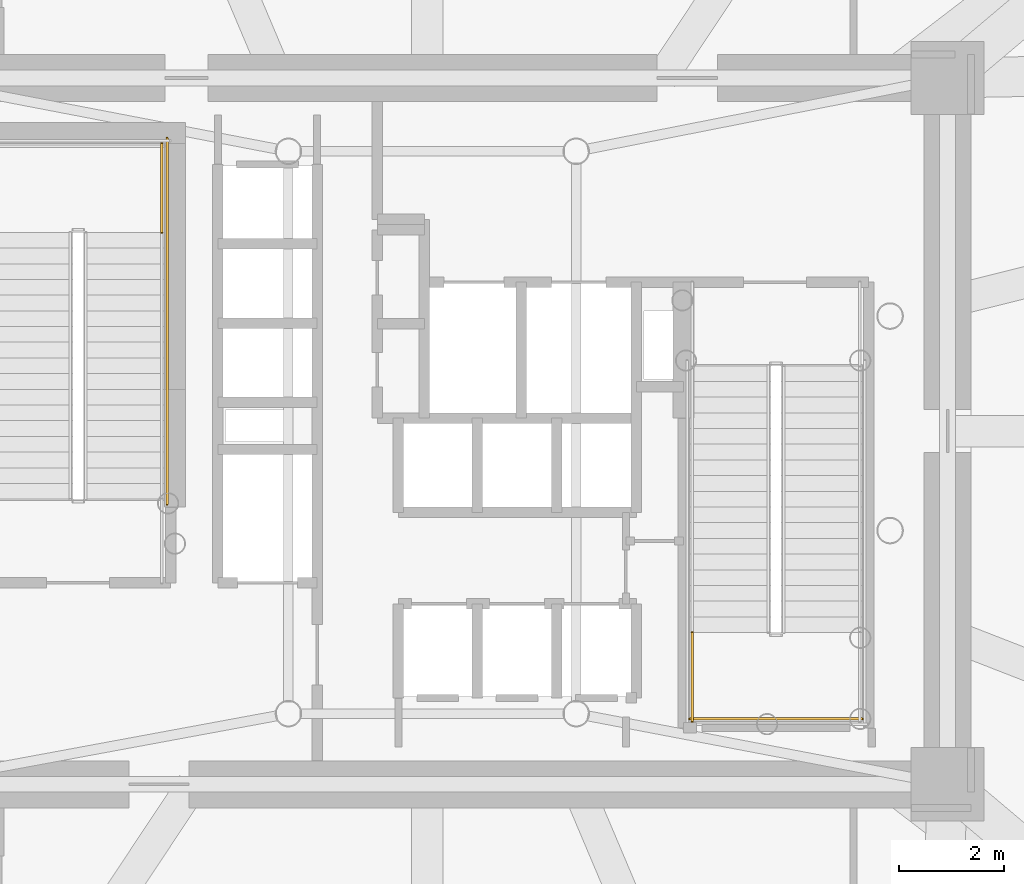
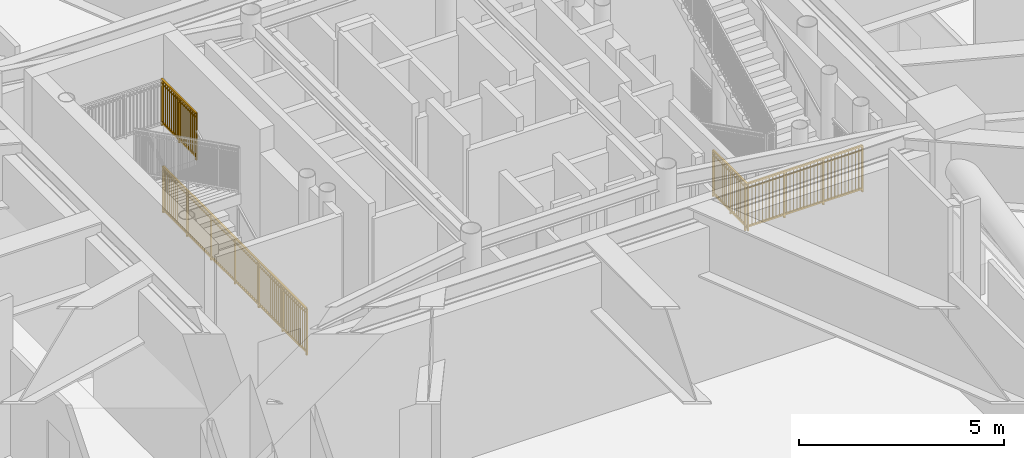
# One storey, part 19 of 22: 4 railings.
"""IFC4 building model written with IfcOpenShell, lengths in metres."""

from ifc_helpers import new_model, si_unit, direction, frame, origin, origin_2d, place, context, subcontext, project, spatial, rectangle, extrude, source, transform, mapped, material, type_object, element, save


model = new_model("IFC4")

# Units and contexts
model_context = context("Model", 3, precision=1e-05, world=origin(), true_north=direction((0.0, 1.0)))
body_context = subcontext(model_context, "Body", "Model", "MODEL_VIEW")
ifc_project = project(units=[si_unit("LENGTHUNIT", "METRE"), si_unit("AREAUNIT", "SQUARE_METRE"), si_unit("VOLUMEUNIT", "CUBIC_METRE"), si_unit("PLANEANGLEUNIT", "RADIAN"), si_unit("MASSUNIT", "GRAM", prefix="KILO")], contexts=[model_context])

# Site, building, storey
site_placement = place(None, origin())
site = spatial("IfcSite", under=ifc_project, at=site_placement, CompositionType="ELEMENT")
building_placement = place(site_placement, origin())
building = spatial("IfcBuilding", under=site, at=building_placement, Name="Linh Dai School and Residence Tower", CompositionType="ELEMENT")
storey_placement = place(building_placement, frame((0.0, 0.0, 87.0)))
storey = spatial("IfcBuildingStorey", under=building, at=storey_placement, Name="L20", CompositionType="ELEMENT", Elevation=87.0)

# Railings
ifc_material = material(Name="Structural Steel S355JR", Category="steel")
railing_type = type_object("IfcRailingType", Name="RL-ST-GUARD-1400", PredefinedType="GUARDRAIL", material=ifc_material)
shared_shape_1 = source(origin(), body_context, "Body", "SweptSolid", [
    extrude(rectangle(XDim=0.048095703125, YDim=0.048095703125, at=origin_2d()), frame((0.0, 0.0, 1.3759765625), z_axis=(0.0, 1.0, 0.0), x_axis=(-1.0, 0.0, 0.0)), (0.0, 0.0, 1.0), 7.0),
    extrude(rectangle(XDim=0.048095703125, YDim=0.048095703125, at=origin_2d()), frame((0.0, 0.0, 0.10009765625), z_axis=(0.0, 1.0, 0.0), x_axis=(-1.0, 0.0, 0.0)), (0.0, 0.0, 1.0), 7.0),
    extrude(rectangle(XDim=0.030029296875, YDim=0.030029296875, at=origin_2d()), frame((0.0, 0.0, 1.239990234375), z_axis=(0.0, 1.0, 0.0), x_axis=(-1.0, 0.0, 0.0)), (0.0, 0.0, 1.0), 7.0),
    extrude(rectangle(XDim=0.02001953125, YDim=0.02001953125, at=origin_2d()), frame((0.0, 0.09716796875, 0.10009765625)), (0.0, 0.0, 1.0), 1.251708984375),
    extrude(rectangle(XDim=0.02001953125, YDim=0.02001953125, at=origin_2d()), frame((0.0, 0.1943359375, 0.10009765625)), (0.0, 0.0, 1.0), 1.251708984375),
    extrude(rectangle(XDim=0.02001953125, YDim=0.02001953125, at=origin_2d()), frame((0.0, 0.291748046875, 0.10009765625)), (0.0, 0.0, 1.0), 1.251708984375),
    extrude(rectangle(XDim=0.02001953125, YDim=0.02001953125, at=origin_2d()), frame((0.0, 0.388916015625, 0.10009765625)), (0.0, 0.0, 1.0), 1.251708984375),
    extrude(rectangle(XDim=0.02001953125, YDim=0.02001953125, at=origin_2d()), frame((0.0, 0.486083984375, 0.10009765625)), (0.0, 0.0, 1.0), 1.251708984375),
    extrude(rectangle(XDim=0.02001953125, YDim=0.02001953125, at=origin_2d()), frame((0.0, 0.583251953125, 0.10009765625)), (0.0, 0.0, 1.0), 1.251708984375),
    extrude(rectangle(XDim=0.02001953125, YDim=0.02001953125, at=origin_2d()), frame((0.0, 0.6806640625, 0.10009765625)), (0.0, 0.0, 1.0), 1.251708984375),
    extrude(rectangle(XDim=0.02001953125, YDim=0.02001953125, at=origin_2d()), frame((0.0, 0.77783203125, 0.10009765625)), (0.0, 0.0, 1.0), 1.251708984375),
    extrude(rectangle(XDim=0.02001953125, YDim=0.02001953125, at=origin_2d()), frame((0.0, 0.875, 0.10009765625)), (0.0, 0.0, 1.0), 1.251708984375),
    extrude(rectangle(XDim=0.02001953125, YDim=0.02001953125, at=origin_2d()), frame((0.0, 0.97216796875, 0.10009765625)), (0.0, 0.0, 1.0), 1.251708984375),
    extrude(rectangle(XDim=0.02001953125, YDim=0.02001953125, at=origin_2d()), frame((0.0, 1.0693359375, 0.10009765625)), (0.0, 0.0, 1.0), 1.251708984375),
    extrude(rectangle(XDim=0.02001953125, YDim=0.02001953125, at=origin_2d()), frame((0.0, 1.263916015625, 0.10009765625)), (0.0, 0.0, 1.0), 1.251708984375),
    extrude(rectangle(XDim=0.02001953125, YDim=0.02001953125, at=origin_2d()), frame((0.0, 1.361083984375, 0.10009765625)), (0.0, 0.0, 1.0), 1.251708984375),
    extrude(rectangle(XDim=0.02001953125, YDim=0.02001953125, at=origin_2d()), frame((0.0, 1.458251953125, 0.10009765625)), (0.0, 0.0, 1.0), 1.251708984375),
    extrude(rectangle(XDim=0.02001953125, YDim=0.02001953125, at=origin_2d()), frame((0.0, 1.5556640625, 0.10009765625)), (0.0, 0.0, 1.0), 1.251708984375),
    extrude(rectangle(XDim=0.02001953125, YDim=0.02001953125, at=origin_2d()), frame((0.0, 1.65283203125, 0.10009765625)), (0.0, 0.0, 1.0), 1.251708984375),
    extrude(rectangle(XDim=0.02001953125, YDim=0.02001953125, at=origin_2d()), frame((0.0, 1.75, 0.10009765625)), (0.0, 0.0, 1.0), 1.251708984375),
    extrude(rectangle(XDim=0.02001953125, YDim=0.02001953125, at=origin_2d()), frame((0.0, 1.84716796875, 0.10009765625)), (0.0, 0.0, 1.0), 1.251708984375),
    extrude(rectangle(XDim=0.02001953125, YDim=0.02001953125, at=origin_2d()), frame((0.0, 1.9443359375, 0.10009765625)), (0.0, 0.0, 1.0), 1.251708984375),
    extrude(rectangle(XDim=0.02001953125, YDim=0.02001953125, at=origin_2d()), frame((0.0, 2.041748046875, 0.10009765625)), (0.0, 0.0, 1.0), 1.251708984375),
    extrude(rectangle(XDim=0.02001953125, YDim=0.02001953125, at=origin_2d()), frame((0.0, 2.138916015625, 0.10009765625)), (0.0, 0.0, 1.0), 1.251708984375),
    extrude(rectangle(XDim=0.02001953125, YDim=0.02001953125, at=origin_2d()), frame((0.0, 2.236083984375, 0.10009765625)), (0.0, 0.0, 1.0), 1.251708984375),
    extrude(rectangle(XDim=0.02001953125, YDim=0.02001953125, at=origin_2d()), frame((0.0, 2.4306640625, 0.10009765625)), (0.0, 0.0, 1.0), 1.251708984375),
    extrude(rectangle(XDim=0.02001953125, YDim=0.02001953125, at=origin_2d()), frame((0.0, 2.52783203125, 0.10009765625)), (0.0, 0.0, 1.0), 1.251708984375),
    extrude(rectangle(XDim=0.02001953125, YDim=0.02001953125, at=origin_2d()), frame((0.0, 2.625, 0.10009765625)), (0.0, 0.0, 1.0), 1.251708984375),
    extrude(rectangle(XDim=0.02001953125, YDim=0.02001953125, at=origin_2d()), frame((0.0, 2.72216796875, 0.10009765625)), (0.0, 0.0, 1.0), 1.251708984375),
    extrude(rectangle(XDim=0.02001953125, YDim=0.02001953125, at=origin_2d()), frame((0.0, 2.8193359375, 0.10009765625)), (0.0, 0.0, 1.0), 1.251708984375),
    extrude(rectangle(XDim=0.02001953125, YDim=0.02001953125, at=origin_2d()), frame((0.0, 2.916748046875, 0.10009765625)), (0.0, 0.0, 1.0), 1.251708984375),
    extrude(rectangle(XDim=0.02001953125, YDim=0.02001953125, at=origin_2d()), frame((0.0, 3.013916015625, 0.10009765625)), (0.0, 0.0, 1.0), 1.251708984375),
    extrude(rectangle(XDim=0.02001953125, YDim=0.02001953125, at=origin_2d()), frame((0.0, 3.111083984375, 0.10009765625)), (0.0, 0.0, 1.0), 1.251708984375),
    extrude(rectangle(XDim=0.02001953125, YDim=0.02001953125, at=origin_2d()), frame((0.0, 3.208251953125, 0.10009765625)), (0.0, 0.0, 1.0), 1.251708984375),
    extrude(rectangle(XDim=0.02001953125, YDim=0.02001953125, at=origin_2d()), frame((0.0, 3.3056640625, 0.10009765625)), (0.0, 0.0, 1.0), 1.251708984375),
    extrude(rectangle(XDim=0.02001953125, YDim=0.02001953125, at=origin_2d()), frame((0.0, 3.40283203125, 0.10009765625)), (0.0, 0.0, 1.0), 1.251708984375),
    extrude(rectangle(XDim=0.02001953125, YDim=0.02001953125, at=origin_2d()), frame((0.0, 3.59716796875, 0.10009765625)), (0.0, 0.0, 1.0), 1.251708984375),
    extrude(rectangle(XDim=0.02001953125, YDim=0.02001953125, at=origin_2d()), frame((0.0, 3.6943359375, 0.10009765625)), (0.0, 0.0, 1.0), 1.251708984375),
    extrude(rectangle(XDim=0.02001953125, YDim=0.02001953125, at=origin_2d()), frame((0.0, 3.791748046875, 0.10009765625)), (0.0, 0.0, 1.0), 1.251708984375),
    extrude(rectangle(XDim=0.02001953125, YDim=0.02001953125, at=origin_2d()), frame((0.0, 3.888916015625, 0.10009765625)), (0.0, 0.0, 1.0), 1.251708984375),
    extrude(rectangle(XDim=0.02001953125, YDim=0.02001953125, at=origin_2d()), frame((0.0, 3.986083984375, 0.10009765625)), (0.0, 0.0, 1.0), 1.251708984375),
    extrude(rectangle(XDim=0.02001953125, YDim=0.02001953125, at=origin_2d()), frame((0.0, 4.083251953125, 0.10009765625)), (0.0, 0.0, 1.0), 1.251708984375),
    extrude(rectangle(XDim=0.02001953125, YDim=0.02001953125, at=origin_2d()), frame((0.0, 4.1806640625, 0.10009765625)), (0.0, 0.0, 1.0), 1.251708984375),
    extrude(rectangle(XDim=0.02001953125, YDim=0.02001953125, at=origin_2d()), frame((0.0, 4.27783203125, 0.10009765625)), (0.0, 0.0, 1.0), 1.251708984375),
    extrude(rectangle(XDim=0.02001953125, YDim=0.02001953125, at=origin_2d()), frame((0.0, 4.375, 0.10009765625)), (0.0, 0.0, 1.0), 1.251708984375),
    extrude(rectangle(XDim=0.02001953125, YDim=0.02001953125, at=origin_2d()), frame((0.0, 4.47216796875, 0.10009765625)), (0.0, 0.0, 1.0), 1.251708984375),
    extrude(rectangle(XDim=0.02001953125, YDim=0.02001953125, at=origin_2d()), frame((0.0, 4.5693359375, 0.10009765625)), (0.0, 0.0, 1.0), 1.251708984375),
    extrude(rectangle(XDim=0.02001953125, YDim=0.02001953125, at=origin_2d()), frame((0.0, 4.763916015625, 0.10009765625)), (0.0, 0.0, 1.0), 1.251708984375),
    extrude(rectangle(XDim=0.02001953125, YDim=0.02001953125, at=origin_2d()), frame((0.0, 4.861083984375, 0.10009765625)), (0.0, 0.0, 1.0), 1.251708984375),
    extrude(rectangle(XDim=0.02001953125, YDim=0.02001953125, at=origin_2d()), frame((0.0, 4.958251953125, 0.10009765625)), (0.0, 0.0, 1.0), 1.251708984375),
    extrude(rectangle(XDim=0.02001953125, YDim=0.02001953125, at=origin_2d()), frame((0.0, 5.0556640625, 0.10009765625)), (0.0, 0.0, 1.0), 1.251708984375),
    extrude(rectangle(XDim=0.02001953125, YDim=0.02001953125, at=origin_2d()), frame((0.0, 5.15283203125, 0.10009765625)), (0.0, 0.0, 1.0), 1.251708984375),
    extrude(rectangle(XDim=0.02001953125, YDim=0.02001953125, at=origin_2d()), frame((0.0, 5.25, 0.10009765625)), (0.0, 0.0, 1.0), 1.251708984375),
    extrude(rectangle(XDim=0.02001953125, YDim=0.02001953125, at=origin_2d()), frame((0.0, 5.34716796875, 0.10009765625)), (0.0, 0.0, 1.0), 1.251708984375),
    extrude(rectangle(XDim=0.02001953125, YDim=0.02001953125, at=origin_2d()), frame((0.0, 5.4443359375, 0.10009765625)), (0.0, 0.0, 1.0), 1.251708984375),
    extrude(rectangle(XDim=0.02001953125, YDim=0.02001953125, at=origin_2d()), frame((0.0, 5.541748046875, 0.10009765625)), (0.0, 0.0, 1.0), 1.251708984375),
    extrude(rectangle(XDim=0.02001953125, YDim=0.02001953125, at=origin_2d()), frame((0.0, 5.638916015625, 0.10009765625)), (0.0, 0.0, 1.0), 1.251708984375),
    extrude(rectangle(XDim=0.02001953125, YDim=0.02001953125, at=origin_2d()), frame((0.0, 5.736083984375, 0.10009765625)), (0.0, 0.0, 1.0), 1.251708984375),
    extrude(rectangle(XDim=0.02001953125, YDim=0.02001953125, at=origin_2d()), frame((0.0, 5.9306640625, 0.10009765625)), (0.0, 0.0, 1.0), 1.251708984375),
    extrude(rectangle(XDim=0.02001953125, YDim=0.02001953125, at=origin_2d()), frame((0.0, 6.02783203125, 0.10009765625)), (0.0, 0.0, 1.0), 1.251708984375),
    extrude(rectangle(XDim=0.02001953125, YDim=0.02001953125, at=origin_2d()), frame((0.0, 6.125, 0.10009765625)), (0.0, 0.0, 1.0), 1.251708984375),
    extrude(rectangle(XDim=0.02001953125, YDim=0.02001953125, at=origin_2d()), frame((0.0, 6.22216796875, 0.10009765625)), (0.0, 0.0, 1.0), 1.251708984375),
    extrude(rectangle(XDim=0.02001953125, YDim=0.02001953125, at=origin_2d()), frame((0.0, 6.3193359375, 0.10009765625)), (0.0, 0.0, 1.0), 1.251708984375),
    extrude(rectangle(XDim=0.02001953125, YDim=0.02001953125, at=origin_2d()), frame((0.0, 6.416748046875, 0.10009765625)), (0.0, 0.0, 1.0), 1.251708984375),
    extrude(rectangle(XDim=0.02001953125, YDim=0.02001953125, at=origin_2d()), frame((0.0, 6.513916015625, 0.10009765625)), (0.0, 0.0, 1.0), 1.251708984375),
    extrude(rectangle(XDim=0.02001953125, YDim=0.02001953125, at=origin_2d()), frame((0.0, 6.611083984375, 0.10009765625)), (0.0, 0.0, 1.0), 1.251708984375),
    extrude(rectangle(XDim=0.02001953125, YDim=0.02001953125, at=origin_2d()), frame((0.0, 6.708251953125, 0.10009765625)), (0.0, 0.0, 1.0), 1.251708984375),
    extrude(rectangle(XDim=0.02001953125, YDim=0.02001953125, at=origin_2d()), frame((0.0, 6.8056640625, 0.10009765625)), (0.0, 0.0, 1.0), 1.251708984375),
    extrude(rectangle(XDim=0.02001953125, YDim=0.02001953125, at=origin_2d()), frame((0.0, 6.90283203125, 0.10009765625)), (0.0, 0.0, 1.0), 1.251708984375),
    extrude(rectangle(XDim=0.0419921875, YDim=0.0419921875, at=origin_2d()), origin(), (0.0, 0.0, 1.0), 1.3759765625),
    extrude(rectangle(XDim=0.0419921875, YDim=0.0419921875, at=origin_2d()), frame((0.0, 1.166748046875, 0.0)), (0.0, 0.0, 1.0), 1.3759765625),
    extrude(rectangle(XDim=0.0419921875, YDim=0.0419921875, at=origin_2d()), frame((0.0, 2.333251953125, 0.0)), (0.0, 0.0, 1.0), 1.3759765625),
    extrude(rectangle(XDim=0.0419921875, YDim=0.0419921875, at=origin_2d()), frame((0.0, 3.5, 0.0)), (0.0, 0.0, 1.0), 1.3759765625),
    extrude(rectangle(XDim=0.0419921875, YDim=0.0419921875, at=origin_2d()), frame((0.0, 4.666748046875, 0.0)), (0.0, 0.0, 1.0), 1.3759765625),
    extrude(rectangle(XDim=0.0419921875, YDim=0.0419921875, at=origin_2d()), frame((0.0, 5.833251953125, 0.0)), (0.0, 0.0, 1.0), 1.3759765625),
    extrude(rectangle(XDim=0.0419921875, YDim=0.0419921875, at=origin_2d()), frame((0.0, 7.0, 0.0)), (0.0, 0.0, 1.0), 1.3759765625),
])
railing_1_placement = place(storey_placement, frame((31.030029296875, 25.60009765625, 0.0)))
element("IfcRailing", 1, at=railing_1_placement, inside=storey, type_object=railing_type, Name="L20 ST1 stair guard 10", PredefinedType="GUARDRAIL", context=body_context, shape_type="MappedRepresentation", body=[
    mapped(shared_shape_1, transform((0.0, 0.0, 0.0), x_axis=(1.0, 0.0, 0.0), y_axis=(0.0, 1.0, 0.0), z_axis=(0.0, 0.0, 1.0), scale=1.0)),
])
shared_shape_2 = source(origin(), body_context, "Body", "SweptSolid", [
    extrude(rectangle(XDim=0.048095703125, YDim=0.048095703125, at=origin_2d()), frame((0.0, 0.0, 1.3759765625), z_axis=(0.0, 1.0, 0.0), x_axis=(-1.0, 0.0, 0.0)), (0.0, 0.0, 1.0), 1.699951171875),
    extrude(rectangle(XDim=0.048095703125, YDim=0.048095703125, at=origin_2d()), frame((0.0, 0.0, 0.10009765625), z_axis=(0.0, 1.0, 0.0), x_axis=(-1.0, 0.0, 0.0)), (0.0, 0.0, 1.0), 1.699951171875),
    extrude(rectangle(XDim=0.030029296875, YDim=0.030029296875, at=origin_2d()), frame((0.0, 0.0, 1.239990234375), z_axis=(0.0, 1.0, 0.0), x_axis=(-1.0, 0.0, 0.0)), (0.0, 0.0, 1.0), 1.699951171875),
    extrude(rectangle(XDim=0.02001953125, YDim=0.02001953125, at=origin_2d()), frame((0.0, 0.094482421875, 0.10009765625)), (0.0, 0.0, 1.0), 1.251708984375),
    extrude(rectangle(XDim=0.02001953125, YDim=0.02001953125, at=origin_2d()), frame((0.0, 0.18896484375, 0.10009765625)), (0.0, 0.0, 1.0), 1.251708984375),
    extrude(rectangle(XDim=0.02001953125, YDim=0.02001953125, at=origin_2d()), frame((0.0, 0.283203125, 0.10009765625)), (0.0, 0.0, 1.0), 1.251708984375),
    extrude(rectangle(XDim=0.02001953125, YDim=0.02001953125, at=origin_2d()), frame((0.0, 0.377685546875, 0.10009765625)), (0.0, 0.0, 1.0), 1.251708984375),
    extrude(rectangle(XDim=0.02001953125, YDim=0.02001953125, at=origin_2d()), frame((0.0, 0.47216796875, 0.10009765625)), (0.0, 0.0, 1.0), 1.251708984375),
    extrude(rectangle(XDim=0.02001953125, YDim=0.02001953125, at=origin_2d()), frame((0.0, 0.566650390625, 0.10009765625)), (0.0, 0.0, 1.0), 1.251708984375),
    extrude(rectangle(XDim=0.02001953125, YDim=0.02001953125, at=origin_2d()), frame((0.0, 0.6611328125, 0.10009765625)), (0.0, 0.0, 1.0), 1.251708984375),
    extrude(rectangle(XDim=0.02001953125, YDim=0.02001953125, at=origin_2d()), frame((0.0, 0.755615234375, 0.10009765625)), (0.0, 0.0, 1.0), 1.251708984375),
    extrude(rectangle(XDim=0.02001953125, YDim=0.02001953125, at=origin_2d()), frame((0.0, 0.9443359375, 0.10009765625)), (0.0, 0.0, 1.0), 1.251708984375),
    extrude(rectangle(XDim=0.02001953125, YDim=0.02001953125, at=origin_2d()), frame((0.0, 1.038818359375, 0.10009765625)), (0.0, 0.0, 1.0), 1.251708984375),
    extrude(rectangle(XDim=0.02001953125, YDim=0.02001953125, at=origin_2d()), frame((0.0, 1.13330078125, 0.10009765625)), (0.0, 0.0, 1.0), 1.251708984375),
    extrude(rectangle(XDim=0.02001953125, YDim=0.02001953125, at=origin_2d()), frame((0.0, 1.227783203125, 0.10009765625)), (0.0, 0.0, 1.0), 1.251708984375),
    extrude(rectangle(XDim=0.02001953125, YDim=0.02001953125, at=origin_2d()), frame((0.0, 1.322265625, 0.10009765625)), (0.0, 0.0, 1.0), 1.251708984375),
    extrude(rectangle(XDim=0.02001953125, YDim=0.02001953125, at=origin_2d()), frame((0.0, 1.41650390625, 0.10009765625)), (0.0, 0.0, 1.0), 1.251708984375),
    extrude(rectangle(XDim=0.02001953125, YDim=0.02001953125, at=origin_2d()), frame((0.0, 1.510986328125, 0.10009765625)), (0.0, 0.0, 1.0), 1.251708984375),
    extrude(rectangle(XDim=0.02001953125, YDim=0.02001953125, at=origin_2d()), frame((0.0, 1.60546875, 0.10009765625)), (0.0, 0.0, 1.0), 1.251708984375),
    extrude(rectangle(XDim=0.0419921875, YDim=0.0419921875, at=origin_2d()), origin(), (0.0, 0.0, 1.0), 1.3759765625),
    extrude(rectangle(XDim=0.0419921875, YDim=0.0419921875, at=origin_2d()), frame((0.0, 0.85009765625, 0.0)), (0.0, 0.0, 1.0), 1.3759765625),
    extrude(rectangle(XDim=0.0419921875, YDim=0.0419921875, at=origin_2d()), frame((0.0, 1.699951171875, 0.0)), (0.0, 0.0, 1.0), 1.3759765625),
])
railing_2_placement = place(storey_placement, frame((30.929931640625, 30.800048828125, 2.699951171875)))
element("IfcRailing", 2, at=railing_2_placement, inside=storey, type_object=railing_type, Name="L20 ST1 stair guard 3", PredefinedType="GUARDRAIL", context=body_context, shape_type="MappedRepresentation", body=[
    mapped(shared_shape_2, transform((0.0, 0.0, 0.0), x_axis=(1.0, 0.0, 0.0), y_axis=(0.0, 1.0, 0.0), z_axis=(0.0, 0.0, 1.0), scale=1.0)),
])
shared_shape_3 = source(origin(), body_context, "Body", "SweptSolid", [
    extrude(rectangle(XDim=0.048095703125, YDim=0.048095703125, at=origin_2d()), frame((0.0, 0.0, 1.3759765625), z_axis=(1.0, 0.0, 0.0), x_axis=(0.0, 1.0, 0.0)), (0.0, 0.0, 1.0), 3.300048828125),
    extrude(rectangle(XDim=0.048095703125, YDim=0.048095703125, at=origin_2d()), frame((0.0, 0.0, 0.10009765625), z_axis=(1.0, 0.0, 0.0), x_axis=(0.0, 1.0, 0.0)), (0.0, 0.0, 1.0), 3.300048828125),
    extrude(rectangle(XDim=0.030029296875, YDim=0.030029296875, at=origin_2d()), frame((0.0, 0.0, 1.239990234375), z_axis=(1.0, 0.0, 0.0), x_axis=(0.0, 1.0, 0.0)), (0.0, 0.0, 1.0), 3.300048828125),
    extrude(rectangle(XDim=0.02001953125, YDim=0.02001953125, at=origin_2d()), frame((0.09716796875, 0.0, 0.10009765625)), (0.0, 0.0, 1.0), 1.251708984375),
    extrude(rectangle(XDim=0.02001953125, YDim=0.02001953125, at=origin_2d()), frame((0.194091796875, 0.0, 0.10009765625)), (0.0, 0.0, 1.0), 1.251708984375),
    extrude(rectangle(XDim=0.02001953125, YDim=0.02001953125, at=origin_2d()), frame((0.291259765625, 0.0, 0.10009765625)), (0.0, 0.0, 1.0), 1.251708984375),
    extrude(rectangle(XDim=0.02001953125, YDim=0.02001953125, at=origin_2d()), frame((0.38818359375, 0.0, 0.10009765625)), (0.0, 0.0, 1.0), 1.251708984375),
    extrude(rectangle(XDim=0.02001953125, YDim=0.02001953125, at=origin_2d()), frame((0.4853515625, 0.0, 0.10009765625)), (0.0, 0.0, 1.0), 1.251708984375),
    extrude(rectangle(XDim=0.02001953125, YDim=0.02001953125, at=origin_2d()), frame((0.582275390625, 0.0, 0.10009765625)), (0.0, 0.0, 1.0), 1.251708984375),
    extrude(rectangle(XDim=0.02001953125, YDim=0.02001953125, at=origin_2d()), frame((0.679443359375, 0.0, 0.10009765625)), (0.0, 0.0, 1.0), 1.251708984375),
    extrude(rectangle(XDim=0.02001953125, YDim=0.02001953125, at=origin_2d()), frame((0.7763671875, 0.0, 0.10009765625)), (0.0, 0.0, 1.0), 1.251708984375),
    extrude(rectangle(XDim=0.02001953125, YDim=0.02001953125, at=origin_2d()), frame((0.87353515625, 0.0, 0.10009765625)), (0.0, 0.0, 1.0), 1.251708984375),
    extrude(rectangle(XDim=0.02001953125, YDim=0.02001953125, at=origin_2d()), frame((0.970703125, 0.0, 0.10009765625)), (0.0, 0.0, 1.0), 1.251708984375),
    extrude(rectangle(XDim=0.02001953125, YDim=0.02001953125, at=origin_2d()), frame((1.164794921875, 0.0, 0.10009765625)), (0.0, 0.0, 1.0), 1.251708984375),
    extrude(rectangle(XDim=0.02001953125, YDim=0.02001953125, at=origin_2d()), frame((1.26171875, 0.0, 0.10009765625)), (0.0, 0.0, 1.0), 1.251708984375),
    extrude(rectangle(XDim=0.02001953125, YDim=0.02001953125, at=origin_2d()), frame((1.35888671875, 0.0, 0.10009765625)), (0.0, 0.0, 1.0), 1.251708984375),
    extrude(rectangle(XDim=0.02001953125, YDim=0.02001953125, at=origin_2d()), frame((1.455810546875, 0.0, 0.10009765625)), (0.0, 0.0, 1.0), 1.251708984375),
    extrude(rectangle(XDim=0.02001953125, YDim=0.02001953125, at=origin_2d()), frame((1.552978515625, 0.0, 0.10009765625)), (0.0, 0.0, 1.0), 1.251708984375),
    extrude(rectangle(XDim=0.02001953125, YDim=0.02001953125, at=origin_2d()), frame((1.64990234375, 0.0, 0.10009765625)), (0.0, 0.0, 1.0), 1.251708984375),
    extrude(rectangle(XDim=0.02001953125, YDim=0.02001953125, at=origin_2d()), frame((1.7470703125, 0.0, 0.10009765625)), (0.0, 0.0, 1.0), 1.251708984375),
    extrude(rectangle(XDim=0.02001953125, YDim=0.02001953125, at=origin_2d()), frame((1.84423828125, 0.0, 0.10009765625)), (0.0, 0.0, 1.0), 1.251708984375),
    extrude(rectangle(XDim=0.02001953125, YDim=0.02001953125, at=origin_2d()), frame((1.941162109375, 0.0, 0.10009765625)), (0.0, 0.0, 1.0), 1.251708984375),
    extrude(rectangle(XDim=0.02001953125, YDim=0.02001953125, at=origin_2d()), frame((2.038330078125, 0.0, 0.10009765625)), (0.0, 0.0, 1.0), 1.251708984375),
    extrude(rectangle(XDim=0.02001953125, YDim=0.02001953125, at=origin_2d()), frame((2.13525390625, 0.0, 0.10009765625)), (0.0, 0.0, 1.0), 1.251708984375),
    extrude(rectangle(XDim=0.02001953125, YDim=0.02001953125, at=origin_2d()), frame((2.329345703125, 0.0, 0.10009765625)), (0.0, 0.0, 1.0), 1.251708984375),
    extrude(rectangle(XDim=0.02001953125, YDim=0.02001953125, at=origin_2d()), frame((2.426513671875, 0.0, 0.10009765625)), (0.0, 0.0, 1.0), 1.251708984375),
    extrude(rectangle(XDim=0.02001953125, YDim=0.02001953125, at=origin_2d()), frame((2.523681640625, 0.0, 0.10009765625)), (0.0, 0.0, 1.0), 1.251708984375),
    extrude(rectangle(XDim=0.02001953125, YDim=0.02001953125, at=origin_2d()), frame((2.62060546875, 0.0, 0.10009765625)), (0.0, 0.0, 1.0), 1.251708984375),
    extrude(rectangle(XDim=0.02001953125, YDim=0.02001953125, at=origin_2d()), frame((2.7177734375, 0.0, 0.10009765625)), (0.0, 0.0, 1.0), 1.251708984375),
    extrude(rectangle(XDim=0.02001953125, YDim=0.02001953125, at=origin_2d()), frame((2.814697265625, 0.0, 0.10009765625)), (0.0, 0.0, 1.0), 1.251708984375),
    extrude(rectangle(XDim=0.02001953125, YDim=0.02001953125, at=origin_2d()), frame((2.911865234375, 0.0, 0.10009765625)), (0.0, 0.0, 1.0), 1.251708984375),
    extrude(rectangle(XDim=0.02001953125, YDim=0.02001953125, at=origin_2d()), frame((3.0087890625, 0.0, 0.10009765625)), (0.0, 0.0, 1.0), 1.251708984375),
    extrude(rectangle(XDim=0.02001953125, YDim=0.02001953125, at=origin_2d()), frame((3.10595703125, 0.0, 0.10009765625)), (0.0, 0.0, 1.0), 1.251708984375),
    extrude(rectangle(XDim=0.02001953125, YDim=0.02001953125, at=origin_2d()), frame((3.202880859375, 0.0, 0.10009765625)), (0.0, 0.0, 1.0), 1.251708984375),
    extrude(rectangle(XDim=0.0419921875, YDim=0.0419921875, at=origin_2d()), origin(), (0.0, 0.0, 1.0), 1.3759765625),
    extrude(rectangle(XDim=0.0419921875, YDim=0.0419921875, at=origin_2d()), frame((1.10009765625, 0.0, 0.0)), (0.0, 0.0, 1.0), 1.3759765625),
    extrude(rectangle(XDim=0.0419921875, YDim=0.0419921875, at=origin_2d()), frame((2.199951171875, 0.0, 0.0)), (0.0, 0.0, 1.0), 1.3759765625),
    extrude(rectangle(XDim=0.0419921875, YDim=0.0419921875, at=origin_2d()), frame((3.300048828125, 0.0, 0.0)), (0.0, 0.0, 1.0), 1.3759765625),
])
railing_3_placement = place(storey_placement, frame((41.02001953125, 21.5, 2.699951171875)))
element("IfcRailing", 3, at=railing_3_placement, inside=storey, type_object=railing_type, Name="L20 ST2 stair guard 5", PredefinedType="GUARDRAIL", context=body_context, shape_type="MappedRepresentation", body=[
    mapped(shared_shape_3, transform((0.0, 0.0, 0.0), x_axis=(1.0, 0.0, 0.0), y_axis=(0.0, 1.0, 0.0), z_axis=(0.0, 0.0, 1.0), scale=1.0)),
])
shared_shape_4 = source(origin(), body_context, "Body", "SweptSolid", [
    extrude(rectangle(XDim=0.048095703125, YDim=0.048095703125, at=origin_2d()), frame((0.0, 0.0, 1.3759765625), z_axis=(0.0, -1.0, 0.0), x_axis=(1.0, 0.0, 0.0)), (0.0, 0.0, 1.0), 1.699951171875),
    extrude(rectangle(XDim=0.048095703125, YDim=0.048095703125, at=origin_2d()), frame((0.0, 0.0, 0.10009765625), z_axis=(0.0, -1.0, 0.0), x_axis=(1.0, 0.0, 0.0)), (0.0, 0.0, 1.0), 1.699951171875),
    extrude(rectangle(XDim=0.030029296875, YDim=0.030029296875, at=origin_2d()), frame((0.0, 0.0, 1.239990234375), z_axis=(0.0, -1.0, 0.0), x_axis=(1.0, 0.0, 0.0)), (0.0, 0.0, 1.0), 1.699951171875),
    extrude(rectangle(XDim=0.02001953125, YDim=0.02001953125, at=origin_2d()), frame((0.0, -0.094482421875, 0.10009765625)), (0.0, 0.0, 1.0), 1.251708984375),
    extrude(rectangle(XDim=0.02001953125, YDim=0.02001953125, at=origin_2d()), frame((0.0, -0.18896484375, 0.10009765625)), (0.0, 0.0, 1.0), 1.251708984375),
    extrude(rectangle(XDim=0.02001953125, YDim=0.02001953125, at=origin_2d()), frame((0.0, -0.283203125, 0.10009765625)), (0.0, 0.0, 1.0), 1.251708984375),
    extrude(rectangle(XDim=0.02001953125, YDim=0.02001953125, at=origin_2d()), frame((0.0, -0.377685546875, 0.10009765625)), (0.0, 0.0, 1.0), 1.251708984375),
    extrude(rectangle(XDim=0.02001953125, YDim=0.02001953125, at=origin_2d()), frame((0.0, -0.47216796875, 0.10009765625)), (0.0, 0.0, 1.0), 1.251708984375),
    extrude(rectangle(XDim=0.02001953125, YDim=0.02001953125, at=origin_2d()), frame((0.0, -0.566650390625, 0.10009765625)), (0.0, 0.0, 1.0), 1.251708984375),
    extrude(rectangle(XDim=0.02001953125, YDim=0.02001953125, at=origin_2d()), frame((0.0, -0.6611328125, 0.10009765625)), (0.0, 0.0, 1.0), 1.251708984375),
    extrude(rectangle(XDim=0.02001953125, YDim=0.02001953125, at=origin_2d()), frame((0.0, -0.755615234375, 0.10009765625)), (0.0, 0.0, 1.0), 1.251708984375),
    extrude(rectangle(XDim=0.02001953125, YDim=0.02001953125, at=origin_2d()), frame((0.0, -0.9443359375, 0.10009765625)), (0.0, 0.0, 1.0), 1.251708984375),
    extrude(rectangle(XDim=0.02001953125, YDim=0.02001953125, at=origin_2d()), frame((0.0, -1.038818359375, 0.10009765625)), (0.0, 0.0, 1.0), 1.251708984375),
    extrude(rectangle(XDim=0.02001953125, YDim=0.02001953125, at=origin_2d()), frame((0.0, -1.13330078125, 0.10009765625)), (0.0, 0.0, 1.0), 1.251708984375),
    extrude(rectangle(XDim=0.02001953125, YDim=0.02001953125, at=origin_2d()), frame((0.0, -1.227783203125, 0.10009765625)), (0.0, 0.0, 1.0), 1.251708984375),
    extrude(rectangle(XDim=0.02001953125, YDim=0.02001953125, at=origin_2d()), frame((0.0, -1.322265625, 0.10009765625)), (0.0, 0.0, 1.0), 1.251708984375),
    extrude(rectangle(XDim=0.02001953125, YDim=0.02001953125, at=origin_2d()), frame((0.0, -1.41650390625, 0.10009765625)), (0.0, 0.0, 1.0), 1.251708984375),
    extrude(rectangle(XDim=0.02001953125, YDim=0.02001953125, at=origin_2d()), frame((0.0, -1.510986328125, 0.10009765625)), (0.0, 0.0, 1.0), 1.251708984375),
    extrude(rectangle(XDim=0.02001953125, YDim=0.02001953125, at=origin_2d()), frame((0.0, -1.60546875, 0.10009765625)), (0.0, 0.0, 1.0), 1.251708984375),
    extrude(rectangle(XDim=0.0419921875, YDim=0.0419921875, at=origin_2d()), origin(), (0.0, 0.0, 1.0), 1.3759765625),
    extrude(rectangle(XDim=0.0419921875, YDim=0.0419921875, at=origin_2d()), frame((0.0, -0.85009765625, 0.0)), (0.0, 0.0, 1.0), 1.3759765625),
    extrude(rectangle(XDim=0.0419921875, YDim=0.0419921875, at=origin_2d()), frame((0.0, -1.699951171875, 0.0)), (0.0, 0.0, 1.0), 1.3759765625),
])
railing_4_placement = place(storey_placement, frame((41.070068359375, 23.14990234375, 2.699951171875)))
element("IfcRailing", 4, at=railing_4_placement, inside=storey, type_object=railing_type, Name="L20 ST2 stair guard 3", PredefinedType="GUARDRAIL", context=body_context, shape_type="MappedRepresentation", body=[
    mapped(shared_shape_4, transform((0.0, 0.0, 0.0), x_axis=(1.0, 0.0, 0.0), y_axis=(0.0, 1.0, 0.0), z_axis=(0.0, 0.0, 1.0), scale=1.0)),
])

save(model, "model.ifc")
